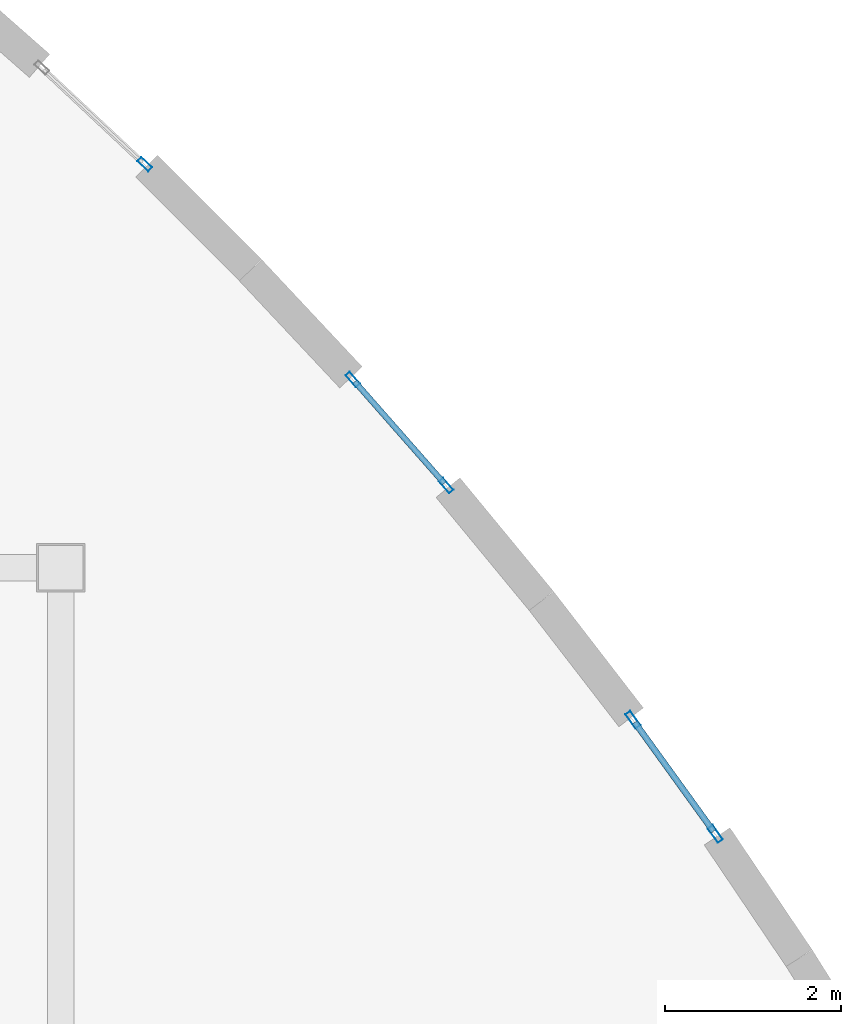
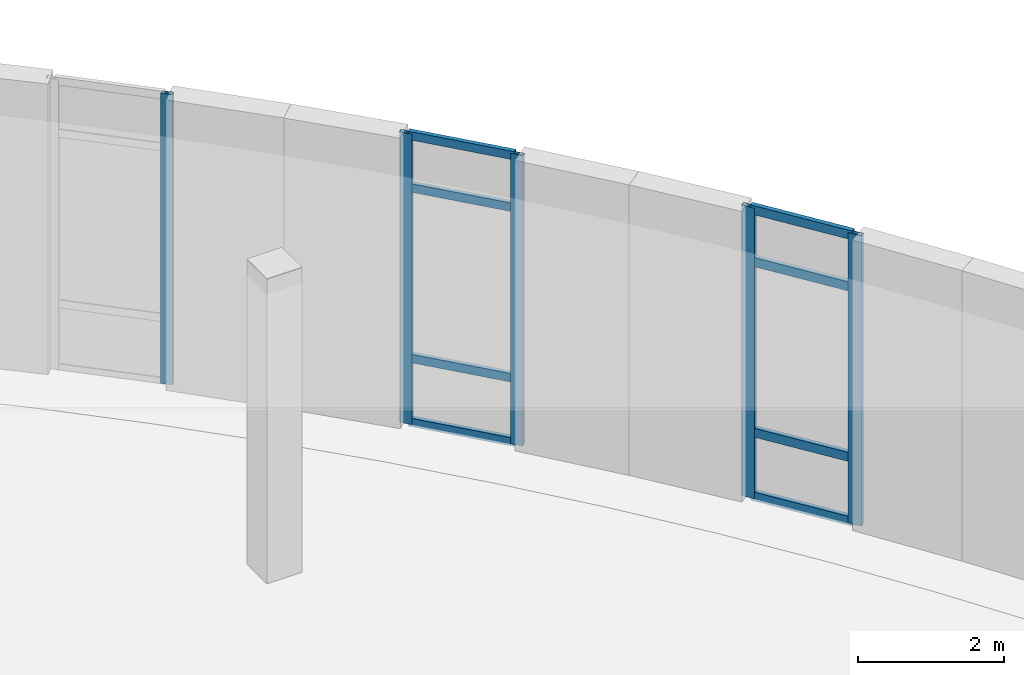
# One storey, part 57 of 104: 13 members, 3 elements without a shape of their own.
"""IFC4 building model written with IfcOpenShell, lengths in metres."""

from ifc_helpers import new_model, si_unit, direction, frame, origin, origin_2d, place, context, subcontext, project, spatial, hollow_rectangle, extrude, material, layer, layer_set, material_profile, profile_set, type_object, element, aggregate, save


model = new_model("IFC4")

# Units and contexts
model_context = context("Model", 3, precision=1e-05, world=origin(), true_north=direction((0.0, 1.0)))
body_context = subcontext(model_context, "Body", "Model", "MODEL_VIEW")
ifc_project = project(units=[si_unit("LENGTHUNIT", "METRE"), si_unit("AREAUNIT", "SQUARE_METRE"), si_unit("VOLUMEUNIT", "CUBIC_METRE"), si_unit("PLANEANGLEUNIT", "RADIAN"), si_unit("MASSUNIT", "GRAM", prefix="KILO"), si_unit("THERMODYNAMICTEMPERATUREUNIT", "KELVIN")], contexts=[model_context])

# Site, building, storey
site_placement = place(None, origin())
site = spatial("IfcSite", under=ifc_project, at=site_placement, CompositionType="ELEMENT")
building_placement = place(site_placement, origin())
building = spatial("IfcBuilding", under=site, at=building_placement, Name="Lustrewick Department Store", CompositionType="ELEMENT")
storey_placement = place(building_placement, frame((0.0, 0.0, 11.39990234375)))
storey = spatial("IfcBuildingStorey", under=building, at=storey_placement, Name="L03", CompositionType="ELEMENT", Elevation=11.39990234375)

# Curtain wall, members
ifc_material = material(Name="Thermally broken aluminium 6063-T5", Category="aluminium")
ifc_layer_1 = layer(ifc_material, 0.199951171875, Name="Thermally broken aluminium 6063-T5")
ifc_layer_set_1 = layer_set([ifc_layer_1], Name="Thermally broken aluminium 6063-T5")
curtain_wall_type_1 = type_object("IfcCurtainWallType", Name="CW01", PredefinedType="NOTDEFINED", material=ifc_layer_set_1)
curtain_wall_1_placement = place(storey_placement, origin())
curtain_wall_1 = element("IfcCurtainWall", 1, at=curtain_wall_1_placement, inside=storey, type_object=curtain_wall_type_1, Name="L03 V4 Curtain Wall CW01", PredefinedType="NOTDEFINED")
ifc_material_profile_1 = material_profile(ifc_material, hollow_rectangle(XDim=0.070068359375, YDim=0.199951171875, WallThickness=0.00390625, at=origin_2d()), Name="ALU-M 70x200x4")
ifc_profile_set_1 = profile_set([ifc_material_profile_1], Name="Thermally broken aluminium 6063-T5")
member_type_1 = type_object("IfcMemberType", Name="CW01-M1", PredefinedType="MULLION", material=ifc_profile_set_1)
member_1_placement = place(storey_placement, frame((158.62841796875, 89.37841796875, 0.0), z_axis=(0.0, 0.0, 1.0), x_axis=(-0.810865859237, -0.585232055106, 0.0)))
member_1 = element("IfcMember", 2, at=member_1_placement, type_object=member_type_1, Name="CW01 mullion 1", PredefinedType="MULLION", context=body_context, shape_type="SweptSolid", body=[
    extrude(hollow_rectangle(XDim=0.070068359375, YDim=0.199951171875, WallThickness=0.00390625, at=origin_2d()), origin(), (0.0, 0.0, 1.0), 4.84521484375),
])
member_2_placement = place(storey_placement, frame((157.694091796875, 90.67333984375, 0.0), z_axis=(0.0, 0.0, 1.0), x_axis=(-0.810865859237, -0.585232055106, 0.0)))
member_2 = element("IfcMember", 3, at=member_2_placement, type_object=member_type_1, Name="CW01 mullion 2", PredefinedType="MULLION", context=body_context, shape_type="SweptSolid", body=[
    extrude(hollow_rectangle(XDim=0.070068359375, YDim=0.199951171875, WallThickness=0.00390625, at=origin_2d()), origin(), (0.0, 0.0, 1.0), 4.84521484375),
])
ifc_material_profile_2 = material_profile(ifc_material, hollow_rectangle(XDim=0.070068359375, YDim=0.14990234375, WallThickness=0.00390625, at=origin_2d()), Name="ALU-T 70x150x4")
ifc_profile_set_2 = profile_set([ifc_material_profile_2], Name="Thermally broken aluminium 6063-T5")
member_type_2 = type_object("IfcMemberType", Name="CW01-T1", PredefinedType="USERDEFINED", material=ifc_profile_set_2)
member_3_placement = place(storey_placement, frame((158.608154296875, 89.406982421875, 0.03515625), z_axis=(-0.585344603301, 0.810784617137, 0.0), x_axis=(-0.810784617137, -0.585344603301, 0.0)))
member_3 = element("IfcMember", 4, at=member_3_placement, type_object=member_type_2, Name="CW01 transom 1.1", ObjectType="TRANSOM", PredefinedType="USERDEFINED", context=body_context, shape_type="SweptSolid", body=[
    extrude(hollow_rectangle(XDim=0.070068359375, YDim=0.14990234375, WallThickness=0.00390625, at=origin_2d()), origin(), (0.0, 0.0, 1.0), 1.52685546875),
])
member_4_placement = place(storey_placement, frame((158.608154296875, 89.406982421875, 1.10009765625), z_axis=(-0.585344603301, 0.810784617137, 0.0), x_axis=(-0.810784617137, -0.585344603301, 0.0)))
member_4 = element("IfcMember", 5, at=member_4_placement, type_object=member_type_2, Name="CW01 transom 1.2", ObjectType="TRANSOM", PredefinedType="USERDEFINED", context=body_context, shape_type="SweptSolid", body=[
    extrude(hollow_rectangle(XDim=0.070068359375, YDim=0.14990234375, WallThickness=0.00390625, at=origin_2d()), origin(), (0.0, 0.0, 1.0), 1.52685546875),
])
member_5_placement = place(storey_placement, frame((158.608154296875, 89.406982421875, 3.945068359375), z_axis=(-0.585344603301, 0.810784617137, 0.0), x_axis=(-0.810784617137, -0.585344603301, 0.0)))
member_5 = element("IfcMember", 6, at=member_5_placement, type_object=member_type_2, Name="CW01 transom 1.3", ObjectType="TRANSOM", PredefinedType="USERDEFINED", context=body_context, shape_type="SweptSolid", body=[
    extrude(hollow_rectangle(XDim=0.070068359375, YDim=0.14990234375, WallThickness=0.00390625, at=origin_2d()), origin(), (0.0, 0.0, 1.0), 1.52685546875),
])
member_6_placement = place(storey_placement, frame((158.608154296875, 89.406982421875, 4.81005859375), z_axis=(-0.585344603301, 0.810784617137, 0.0), x_axis=(-0.810784617137, -0.585344603301, 0.0)))
member_6 = element("IfcMember", 7, at=member_6_placement, type_object=member_type_2, Name="CW01 transom 1.4", ObjectType="TRANSOM", PredefinedType="USERDEFINED", context=body_context, shape_type="SweptSolid", body=[
    extrude(hollow_rectangle(XDim=0.070068359375, YDim=0.14990234375, WallThickness=0.00390625, at=origin_2d()), origin(), (0.0, 0.0, 1.0), 1.52685546875),
])
aggregate(curtain_wall_1, [member_1, member_2, member_3, member_4, member_5, member_6])

ifc_layer_2 = layer(ifc_material, 0.179931640625, Name="Thermally broken aluminium 6063-T5")
ifc_layer_set_2 = layer_set([ifc_layer_2], Name="Thermally broken aluminium 6063-T5")
curtain_wall_type_2 = type_object("IfcCurtainWallType", Name="CW02", PredefinedType="NOTDEFINED", material=ifc_layer_set_2)
curtain_wall_2_placement = place(storey_placement, origin())
curtain_wall_2 = element("IfcCurtainWall", 8, at=curtain_wall_2_placement, inside=storey, type_object=curtain_wall_type_2, Name="L03 V4 Curtain Wall CW02", PredefinedType="NOTDEFINED")
ifc_material_profile_3 = material_profile(ifc_material, hollow_rectangle(XDim=0.06494140625, YDim=0.179931640625, WallThickness=0.00390625, at=origin_2d()), Name="ALU-M 65x180x4")
ifc_profile_set_3 = profile_set([ifc_material_profile_3], Name="Thermally broken aluminium 6063-T5")
member_type_3 = type_object("IfcMemberType", Name="CW02-M1", PredefinedType="MULLION", material=ifc_profile_set_3)
member_7_placement = place(storey_placement, frame((155.57373046875, 93.332275390625, 0.0), z_axis=(0.0, 0.0, 1.0), x_axis=(-0.750950308741, -0.660358716004, 0.0)))
member_7 = element("IfcMember", 9, at=member_7_placement, type_object=member_type_3, Name="CW02 mullion 1", PredefinedType="MULLION", context=body_context, shape_type="SweptSolid", body=[
    extrude(hollow_rectangle(XDim=0.06494140625, YDim=0.179931640625, WallThickness=0.00390625, at=origin_2d()), origin(), (0.0, 0.0, 1.0), 4.84521484375),
])
member_8_placement = place(storey_placement, frame((154.515869140625, 94.53515625, 0.0), z_axis=(0.0, 0.0, 1.0), x_axis=(-0.750950308741, -0.660358716004, 0.0)))
member_8 = element("IfcMember", 10, at=member_8_placement, type_object=member_type_3, Name="CW02 mullion 2", PredefinedType="MULLION", context=body_context, shape_type="SweptSolid", body=[
    extrude(hollow_rectangle(XDim=0.06494140625, YDim=0.179931640625, WallThickness=0.00390625, at=origin_2d()), origin(), (0.0, 0.0, 1.0), 4.84521484375),
])
ifc_material_profile_4 = material_profile(ifc_material, hollow_rectangle(XDim=0.06494140625, YDim=0.139892578125, WallThickness=0.00341796875, at=origin_2d()), Name="ALU-T 65x140x3.5")
ifc_profile_set_4 = profile_set([ifc_material_profile_4], Name="Thermally broken aluminium 6063-T5")
member_type_4 = type_object("IfcMemberType", Name="CW02-T1", PredefinedType="USERDEFINED", material=ifc_profile_set_4)
member_9_placement = place(storey_placement, frame((155.55224609375, 93.356689453125, 0.03271484375), z_axis=(-0.660380759563, 0.750930923853, 0.0), x_axis=(-0.750930923853, -0.660380759563, 0.0)))
member_9 = element("IfcMember", 11, at=member_9_placement, type_object=member_type_4, Name="CW02 transom 1.1", ObjectType="TRANSOM", PredefinedType="USERDEFINED", context=body_context, shape_type="SweptSolid", body=[
    extrude(hollow_rectangle(XDim=0.06494140625, YDim=0.139892578125, WallThickness=0.00341796875, at=origin_2d()), origin(), (0.0, 0.0, 1.0), 1.536865234375),
])
member_10_placement = place(storey_placement, frame((155.55224609375, 93.356689453125, 1.10009765625), z_axis=(-0.660380759563, 0.750930923853, 0.0), x_axis=(-0.750930923853, -0.660380759563, 0.0)))
member_10 = element("IfcMember", 12, at=member_10_placement, type_object=member_type_4, Name="CW02 transom 1.2", ObjectType="TRANSOM", PredefinedType="USERDEFINED", context=body_context, shape_type="SweptSolid", body=[
    extrude(hollow_rectangle(XDim=0.06494140625, YDim=0.139892578125, WallThickness=0.00341796875, at=origin_2d()), origin(), (0.0, 0.0, 1.0), 1.536865234375),
])
member_11_placement = place(storey_placement, frame((155.55224609375, 93.356689453125, 3.945068359375), z_axis=(-0.660380759563, 0.750930923853, 0.0), x_axis=(-0.750930923853, -0.660380759563, 0.0)))
member_11 = element("IfcMember", 13, at=member_11_placement, type_object=member_type_4, Name="CW02 transom 1.3", ObjectType="TRANSOM", PredefinedType="USERDEFINED", context=body_context, shape_type="SweptSolid", body=[
    extrude(hollow_rectangle(XDim=0.06494140625, YDim=0.139892578125, WallThickness=0.00341796875, at=origin_2d()), origin(), (0.0, 0.0, 1.0), 1.536865234375),
])
member_12_placement = place(storey_placement, frame((155.55224609375, 93.356689453125, 4.8125), z_axis=(-0.660380759563, 0.750930923853, 0.0), x_axis=(-0.750930923853, -0.660380759563, 0.0)))
member_12 = element("IfcMember", 14, at=member_12_placement, type_object=member_type_4, Name="CW02 transom 1.4", ObjectType="TRANSOM", PredefinedType="USERDEFINED", context=body_context, shape_type="SweptSolid", body=[
    extrude(hollow_rectangle(XDim=0.06494140625, YDim=0.139892578125, WallThickness=0.00341796875, at=origin_2d()), origin(), (0.0, 0.0, 1.0), 1.536865234375),
])
aggregate(curtain_wall_2, [member_7, member_8, member_9, member_10, member_11, member_12])

# Curtain wall, member
ifc_layer_3 = layer(ifc_material, 0.169921875, Name="Thermally broken aluminium 6063-T5")
ifc_layer_set_3 = layer_set([ifc_layer_3], Name="Thermally broken aluminium 6063-T5")
curtain_wall_type_3 = type_object("IfcCurtainWallType", Name="CW03", PredefinedType="NOTDEFINED", material=ifc_layer_set_3)
curtain_wall_3_placement = place(storey_placement, origin())
curtain_wall_3 = element("IfcCurtainWall", 15, at=curtain_wall_3_placement, inside=storey, type_object=curtain_wall_type_3, Name="L03 V4 Curtain Wall CW03", PredefinedType="NOTDEFINED")
ifc_material_profile_5 = material_profile(ifc_material, hollow_rectangle(XDim=0.06494140625, YDim=0.169921875, WallThickness=0.00390625, at=origin_2d()), Name="ALU-M 65x170x4")
ifc_profile_set_5 = profile_set([ifc_material_profile_5], Name="Thermally broken aluminium 6063-T5")
member_type_5 = type_object("IfcMemberType", Name="CW03-M1", PredefinedType="MULLION", material=ifc_profile_set_5)
member_13_placement = place(storey_placement, frame((152.15185546875, 96.976318359375, 0.0), z_axis=(0.0, 0.0, 1.0), x_axis=(-0.68406683598, -0.729419333383, 0.0)))
member_13 = element("IfcMember", 16, at=member_13_placement, type_object=member_type_5, Name="CW03 mullion 1", PredefinedType="MULLION", context=body_context, shape_type="SweptSolid", body=[
    extrude(hollow_rectangle(XDim=0.06494140625, YDim=0.169921875, WallThickness=0.00390625, at=origin_2d()), origin(), (0.0, 0.0, 1.0), 4.84521484375),
])
aggregate(curtain_wall_3, [member_13])

save(model, "model.ifc")
